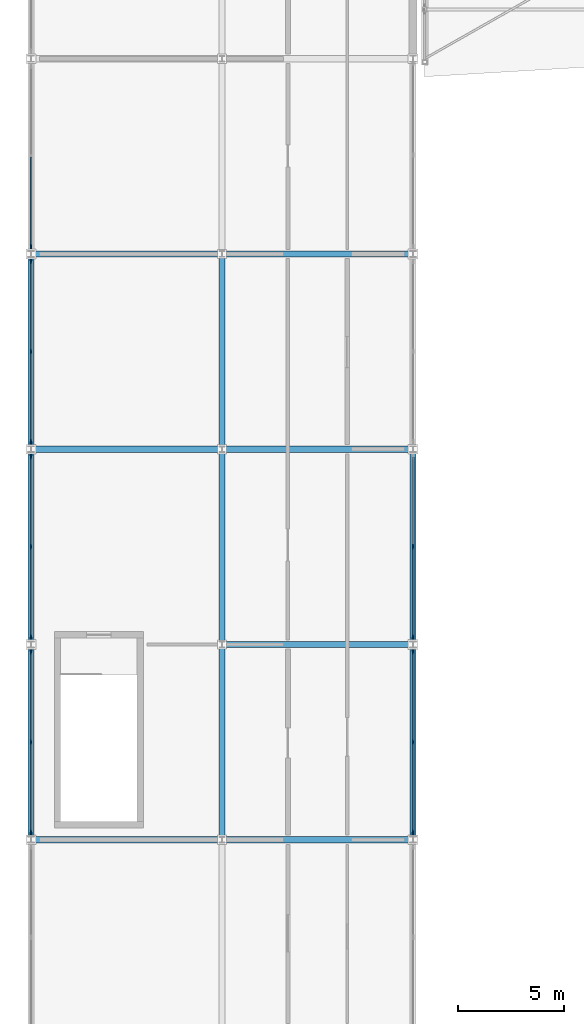
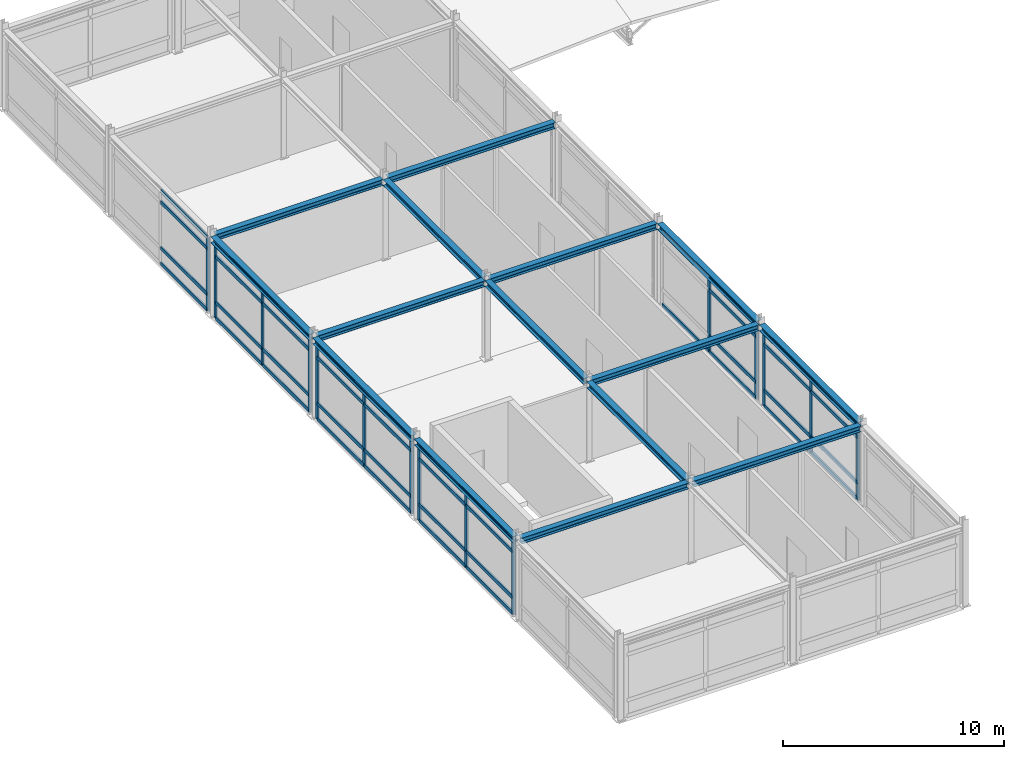
# One storey, part 29 of 90: 56 members, 15 beams, 6 elements without a shape of their own.
"""IFC4 building model written with IfcOpenShell, lengths in metres."""

from ifc_helpers import new_model, si_unit, direction, frame, origin, origin_2d, place, context, subcontext, project, spatial, rectangle, i_section, extrude, material, material_profile, profile_set, type_object, element, aggregate, save


model = new_model("IFC4")

# Units and contexts
model_context = context("Model", 3, precision=1e-05, world=origin(), true_north=direction((0.0, 1.0)))
body_context = subcontext(model_context, "Body", "Model", "MODEL_VIEW")
ifc_project = project(units=[si_unit("LENGTHUNIT", "METRE"), si_unit("AREAUNIT", "SQUARE_METRE"), si_unit("VOLUMEUNIT", "CUBIC_METRE"), si_unit("PLANEANGLEUNIT", "RADIAN"), si_unit("MASSUNIT", "GRAM", prefix="KILO")], contexts=[model_context])

# Site, building, storey
site_placement = place(None, origin())
site = spatial("IfcSite", under=ifc_project, at=site_placement, CompositionType="ELEMENT")
building_placement = place(site_placement, origin())
building = spatial("IfcBuilding", under=site, at=building_placement, Name="Bozkorgan Art Gallery", CompositionType="ELEMENT")
storey_placement = place(building_placement, frame((0.0, 0.0, 5.39990234375)))
storey = spatial("IfcBuildingStorey", under=building, at=storey_placement, Name="L01", CompositionType="ELEMENT", Elevation=5.39990234375)

# Beams
ifc_material_1 = material(Name="Steel S355J2", Category="steel")
ifc_material_profile_1 = material_profile(ifc_material_1, i_section(OverallWidth=0.300048828125, OverallDepth=0.330078125, WebThickness=0.009521484375, FlangeThickness=0.0166015625, FilletRadius=0.027099609375, at=origin_2d()), Name="HEA 340")
ifc_profile_set_1 = profile_set([ifc_material_profile_1], Name="Steel S355J2")
beam_type = type_object("IfcBeamType", Name="BEAM-BM-37", PredefinedType="BEAM", material=ifc_profile_set_1)
for number, where, z_axis, x_axis, name in (
    (1, (2.14990234375, 66.0, 4.275146484375), (1.0, 0.0, 0.0), (0.0, 1.0, 0.0), "V2 L01 beam X (2-11, 66.0)"),
    (2, (11.139892578125, 66.0, 4.275146484375), (1.0, 0.0, 0.0), (0.0, 1.0, 0.0), "V2 L01 beam X (11-20, 66.0)"),
    (3, (11.139892578125, 75.199951171875, 4.275146484375), (1.0, 0.0, 0.0), (0.0, 1.0, 0.0), "V2 L01 beam X (11-20, 75.2)"),
    (4, (2.14990234375, 84.39990234375, 4.275146484375), (1.0, 0.0, 0.0), (0.0, 1.0, 0.0), "V2 L01 beam X (2-11, 84.4)"),
    (5, (11.139892578125, 84.39990234375, 4.275146484375), (1.0, 0.0, 0.0), (0.0, 1.0, 0.0), "V2 L01 beam X (11-20, 84.4)"),
    (6, (2.14990234375, 93.60009765625, 4.275146484375), (1.0, 0.0, 0.0), (0.0, 1.0, 0.0), "V2 L01 beam X (2-11, 93.6)"),
    (7, (11.139892578125, 93.60009765625, 4.275146484375), (1.0, 0.0, 0.0), (0.0, 1.0, 0.0), "V2 L01 beam X (11-20, 93.6)"),
):
    element("IfcBeam", number, at=place(storey_placement, frame(where, z_axis=z_axis, x_axis=x_axis)), inside=storey, type_object=beam_type, Name=name, PredefinedType="BEAM", context=body_context, shape_type="SweptSolid", body=[
        extrude(i_section(OverallWidth=0.300048828125, OverallDepth=0.330078125, WebThickness=0.009521484375, FlangeThickness=0.0166015625, FilletRadius=0.027099609375, at=origin_2d()), origin(), (0.0, 0.0, 1.0), 8.710205078125),
    ])
beam_1_placement = place(storey_placement, frame((2.0, 66.14990234375, 4.275146484375), z_axis=(0.0, 1.0, 0.0), x_axis=(-1.0, 0.0, 0.0)))
element("IfcBeam", 8, at=beam_1_placement, inside=storey, type_object=beam_type, Name="V2 L01 beam Y (2, 66.0-75.2)", PredefinedType="BEAM", context=body_context, shape_type="SweptSolid", body=[
    extrude(i_section(OverallWidth=0.300048828125, OverallDepth=0.330078125, WebThickness=0.009521484375, FlangeThickness=0.0166015625, FilletRadius=0.027099609375, at=origin_2d()), origin(), (0.0, 0.0, 1.0), 8.900146484375),
])
for number, where, z_axis, x_axis, name in (
    (9, (2.0, 75.35009765625, 4.275146484375), (0.0, 1.0, 0.0), (-1.0, 0.0, 0.0), "V2 L01 beam Y (2, 75.2-84.4)"),
    (10, (2.0, 84.550048828125, 4.275146484375), (0.0, 1.0, 0.0), (-1.0, 0.0, 0.0), "V2 L01 beam Y (2, 84.4-93.6)"),
):
    element("IfcBeam", number, at=place(storey_placement, frame(where, z_axis=z_axis, x_axis=x_axis)), inside=storey, type_object=beam_type, Name=name, PredefinedType="BEAM", context=body_context, shape_type="SweptSolid", body=[
        extrude(i_section(OverallWidth=0.300048828125, OverallDepth=0.330078125, WebThickness=0.009521484375, FlangeThickness=0.0166015625, FilletRadius=0.027099609375, at=origin_2d()), origin(), (0.0, 0.0, 1.0), 8.89990234375),
    ])
beam_2_placement = place(storey_placement, frame((11.0, 66.139892578125, 4.275146484375), z_axis=(0.0, 1.0, 0.0), x_axis=(-1.0, 0.0, 0.0)))
element("IfcBeam", 11, at=beam_2_placement, inside=storey, type_object=beam_type, Name="V2 L01 beam Y (11, 66.0-75.2)", PredefinedType="BEAM", context=body_context, shape_type="SweptSolid", body=[
    extrude(i_section(OverallWidth=0.300048828125, OverallDepth=0.330078125, WebThickness=0.009521484375, FlangeThickness=0.0166015625, FilletRadius=0.027099609375, at=origin_2d()), origin(), (0.0, 0.0, 1.0), 8.920166015625),
])
for number, where, z_axis, x_axis, name in (
    (12, (11.0, 75.340087890625, 4.275146484375), (0.0, 1.0, 0.0), (-1.0, 0.0, 0.0), "V2 L01 beam Y (11, 75.2-84.4)"),
    (13, (11.0, 84.5400390625, 4.275146484375), (0.0, 1.0, 0.0), (-1.0, 0.0, 0.0), "V2 L01 beam Y (11, 84.4-93.6)"),
):
    element("IfcBeam", number, at=place(storey_placement, frame(where, z_axis=z_axis, x_axis=x_axis)), inside=storey, type_object=beam_type, Name=name, PredefinedType="BEAM", context=body_context, shape_type="SweptSolid", body=[
        extrude(i_section(OverallWidth=0.300048828125, OverallDepth=0.330078125, WebThickness=0.009521484375, FlangeThickness=0.0166015625, FilletRadius=0.027099609375, at=origin_2d()), origin(), (0.0, 0.0, 1.0), 8.919921875),
    ])
beam_3_placement = place(storey_placement, frame((20.0, 66.14990234375, 4.275146484375), z_axis=(0.0, 1.0, 0.0), x_axis=(-1.0, 0.0, 0.0)))
element("IfcBeam", 14, at=beam_3_placement, inside=storey, type_object=beam_type, Name="V2 L01 beam Y (20, 66.0-75.2)", PredefinedType="BEAM", context=body_context, shape_type="SweptSolid", body=[
    extrude(i_section(OverallWidth=0.300048828125, OverallDepth=0.330078125, WebThickness=0.009521484375, FlangeThickness=0.0166015625, FilletRadius=0.027099609375, at=origin_2d()), origin(), (0.0, 0.0, 1.0), 8.900146484375),
])
beam_4_placement = place(storey_placement, frame((20.0, 75.35009765625, 4.275146484375), z_axis=(0.0, 1.0, 0.0), x_axis=(-1.0, 0.0, 0.0)))
element("IfcBeam", 15, at=beam_4_placement, inside=storey, type_object=beam_type, Name="V2 L01 beam Y (20, 75.2-84.4)", PredefinedType="BEAM", context=body_context, shape_type="SweptSolid", body=[
    extrude(i_section(OverallWidth=0.300048828125, OverallDepth=0.330078125, WebThickness=0.009521484375, FlangeThickness=0.0166015625, FilletRadius=0.027099609375, at=origin_2d()), origin(), (0.0, 0.0, 1.0), 8.89990234375),
])

# Curtain wall, members
ifc_material_2 = material(Name="Anodised Bronze Aluminium", Category="aluminium")
curtain_wall_type = type_object("IfcCurtainWallType", Name="CW-CW-52", PredefinedType="NOTDEFINED", material=ifc_material_2)
curtain_wall_1_placement = place(storey_placement, origin())
curtain_wall_1 = element("IfcCurtainWall", 16, at=curtain_wall_1_placement, inside=storey, type_object=curtain_wall_type, Name="L01 unitised curtain wall CW-V2-L01-1W-07", PredefinedType="NOTDEFINED")
ifc_material_profile_2 = material_profile(ifc_material_2, rectangle(XDim=0.074951171875, YDim=0.219970703125, at=origin_2d()), Name="ALU MULLION 75x220")
ifc_profile_set_2 = profile_set([ifc_material_profile_2], Name="Anodised Bronze Aluminium")
member_type_1 = type_object("IfcMemberType", Name="CWM-02", PredefinedType="MULLION", material=ifc_profile_set_2)
member_1_placement = place(storey_placement, frame((2.0, 66.3525390625, 0.02001953125), z_axis=(0.0, 0.0, 1.0), x_axis=(-1.0, 0.0, 0.0)))
member_1 = element("IfcMember", 17, at=member_1_placement, type_object=member_type_1, Name="CW-52 mullion 1", PredefinedType="MULLION", context=body_context, shape_type="SweptSolid", body=[
    extrude(rectangle(XDim=0.074951171875, YDim=0.219970703125, at=origin_2d()), origin(), (0.0, 0.0, 1.0), 4.0751953125),
])
member_2_placement = place(storey_placement, frame((2.0, 70.60009765625, 0.02001953125), z_axis=(0.0, 0.0, 1.0), x_axis=(-1.0, 0.0, 0.0)))
member_2 = element("IfcMember", 18, at=member_2_placement, type_object=member_type_1, Name="CW-52 mullion 2", PredefinedType="MULLION", context=body_context, shape_type="SweptSolid", body=[
    extrude(rectangle(XDim=0.074951171875, YDim=0.219970703125, at=origin_2d()), origin(), (0.0, 0.0, 1.0), 4.0751953125),
])
member_3_placement = place(storey_placement, frame((2.0, 74.847412109375, 0.02001953125), z_axis=(0.0, 0.0, 1.0), x_axis=(-1.0, 0.0, 0.0)))
member_3 = element("IfcMember", 19, at=member_3_placement, type_object=member_type_1, Name="CW-52 mullion 3", PredefinedType="MULLION", context=body_context, shape_type="SweptSolid", body=[
    extrude(rectangle(XDim=0.074951171875, YDim=0.219970703125, at=origin_2d()), origin(), (0.0, 0.0, 1.0), 4.0751953125),
])

curtain_wall_2_placement = place(storey_placement, origin())
curtain_wall_2 = element("IfcCurtainWall", 20, at=curtain_wall_2_placement, inside=storey, type_object=curtain_wall_type, Name="L01 unitised curtain wall CW-V2-L01-1E-08", PredefinedType="NOTDEFINED")
member_4_placement = place(storey_placement, frame((20.0, 66.3525390625, 0.02001953125), z_axis=(0.0, 0.0, 1.0), x_axis=(-1.0, 0.0, 0.0)))
member_4 = element("IfcMember", 21, at=member_4_placement, type_object=member_type_1, Name="CW-52 mullion 1", PredefinedType="MULLION", context=body_context, shape_type="SweptSolid", body=[
    extrude(rectangle(XDim=0.074951171875, YDim=0.219970703125, at=origin_2d()), origin(), (0.0, 0.0, 1.0), 4.0751953125),
])
member_5_placement = place(storey_placement, frame((20.0, 70.60009765625, 0.02001953125), z_axis=(0.0, 0.0, 1.0), x_axis=(-1.0, 0.0, 0.0)))
member_5 = element("IfcMember", 22, at=member_5_placement, type_object=member_type_1, Name="CW-52 mullion 2", PredefinedType="MULLION", context=body_context, shape_type="SweptSolid", body=[
    extrude(rectangle(XDim=0.074951171875, YDim=0.219970703125, at=origin_2d()), origin(), (0.0, 0.0, 1.0), 4.0751953125),
])
member_6_placement = place(storey_placement, frame((20.0, 74.847412109375, 0.02001953125), z_axis=(0.0, 0.0, 1.0), x_axis=(-1.0, 0.0, 0.0)))
member_6 = element("IfcMember", 23, at=member_6_placement, type_object=member_type_1, Name="CW-52 mullion 3", PredefinedType="MULLION", context=body_context, shape_type="SweptSolid", body=[
    extrude(rectangle(XDim=0.074951171875, YDim=0.219970703125, at=origin_2d()), origin(), (0.0, 0.0, 1.0), 4.0751953125),
])

curtain_wall_3_placement = place(storey_placement, origin())
curtain_wall_3 = element("IfcCurtainWall", 24, at=curtain_wall_3_placement, inside=storey, type_object=curtain_wall_type, Name="L01 unitised curtain wall CW-V2-L01-1W-09", PredefinedType="NOTDEFINED")
member_7_placement = place(storey_placement, frame((2.0, 75.552490234375, 0.02001953125), z_axis=(0.0, 0.0, 1.0), x_axis=(-1.0, 0.0, 0.0)))
member_7 = element("IfcMember", 25, at=member_7_placement, type_object=member_type_1, Name="CW-52 mullion 1", PredefinedType="MULLION", context=body_context, shape_type="SweptSolid", body=[
    extrude(rectangle(XDim=0.074951171875, YDim=0.219970703125, at=origin_2d()), origin(), (0.0, 0.0, 1.0), 4.0751953125),
])
member_8_placement = place(storey_placement, frame((2.0, 79.800048828125, 0.02001953125), z_axis=(0.0, 0.0, 1.0), x_axis=(-1.0, 0.0, 0.0)))
member_8 = element("IfcMember", 26, at=member_8_placement, type_object=member_type_1, Name="CW-52 mullion 2", PredefinedType="MULLION", context=body_context, shape_type="SweptSolid", body=[
    extrude(rectangle(XDim=0.074951171875, YDim=0.219970703125, at=origin_2d()), origin(), (0.0, 0.0, 1.0), 4.0751953125),
])
member_9_placement = place(storey_placement, frame((2.0, 84.047607421875, 0.02001953125), z_axis=(0.0, 0.0, 1.0), x_axis=(-1.0, 0.0, 0.0)))
member_9 = element("IfcMember", 27, at=member_9_placement, type_object=member_type_1, Name="CW-52 mullion 3", PredefinedType="MULLION", context=body_context, shape_type="SweptSolid", body=[
    extrude(rectangle(XDim=0.074951171875, YDim=0.219970703125, at=origin_2d()), origin(), (0.0, 0.0, 1.0), 4.0751953125),
])

curtain_wall_4_placement = place(storey_placement, origin())
curtain_wall_4 = element("IfcCurtainWall", 28, at=curtain_wall_4_placement, inside=storey, type_object=curtain_wall_type, Name="L01 unitised curtain wall CW-V2-L01-1E-10", PredefinedType="NOTDEFINED")
member_10_placement = place(storey_placement, frame((20.0, 75.552490234375, 0.02001953125), z_axis=(0.0, 0.0, 1.0), x_axis=(-1.0, 0.0, 0.0)))
member_10 = element("IfcMember", 29, at=member_10_placement, type_object=member_type_1, Name="CW-52 mullion 1", PredefinedType="MULLION", context=body_context, shape_type="SweptSolid", body=[
    extrude(rectangle(XDim=0.074951171875, YDim=0.219970703125, at=origin_2d()), origin(), (0.0, 0.0, 1.0), 4.0751953125),
])
member_11_placement = place(storey_placement, frame((20.0, 79.800048828125, 0.02001953125), z_axis=(0.0, 0.0, 1.0), x_axis=(-1.0, 0.0, 0.0)))
member_11 = element("IfcMember", 30, at=member_11_placement, type_object=member_type_1, Name="CW-52 mullion 2", PredefinedType="MULLION", context=body_context, shape_type="SweptSolid", body=[
    extrude(rectangle(XDim=0.074951171875, YDim=0.219970703125, at=origin_2d()), origin(), (0.0, 0.0, 1.0), 4.0751953125),
])

curtain_wall_5_placement = place(storey_placement, origin())
curtain_wall_5 = element("IfcCurtainWall", 31, at=curtain_wall_5_placement, inside=storey, type_object=curtain_wall_type, Name="L01 unitised curtain wall CW-V2-L01-1W-11", PredefinedType="NOTDEFINED")
member_12_placement = place(storey_placement, frame((2.0, 84.75244140625, 0.02001953125), z_axis=(0.0, 0.0, 1.0), x_axis=(-1.0, 0.0, 0.0)))
member_12 = element("IfcMember", 32, at=member_12_placement, type_object=member_type_1, Name="CW-52 mullion 1", PredefinedType="MULLION", context=body_context, shape_type="SweptSolid", body=[
    extrude(rectangle(XDim=0.074951171875, YDim=0.219970703125, at=origin_2d()), origin(), (0.0, 0.0, 1.0), 4.0751953125),
])
member_13_placement = place(storey_placement, frame((2.0, 89.0, 0.02001953125), z_axis=(0.0, 0.0, 1.0), x_axis=(-1.0, 0.0, 0.0)))
member_13 = element("IfcMember", 33, at=member_13_placement, type_object=member_type_1, Name="CW-52 mullion 2", PredefinedType="MULLION", context=body_context, shape_type="SweptSolid", body=[
    extrude(rectangle(XDim=0.074951171875, YDim=0.219970703125, at=origin_2d()), origin(), (0.0, 0.0, 1.0), 4.0751953125),
])
member_14_placement = place(storey_placement, frame((2.0, 93.24755859375, 0.02001953125), z_axis=(0.0, 0.0, 1.0), x_axis=(-1.0, 0.0, 0.0)))
member_14 = element("IfcMember", 34, at=member_14_placement, type_object=member_type_1, Name="CW-52 mullion 3", PredefinedType="MULLION", context=body_context, shape_type="SweptSolid", body=[
    extrude(rectangle(XDim=0.074951171875, YDim=0.219970703125, at=origin_2d()), origin(), (0.0, 0.0, 1.0), 4.0751953125),
])

# Curtain wall, member
curtain_wall_6_placement = place(storey_placement, origin())
curtain_wall_6 = element("IfcCurtainWall", 35, at=curtain_wall_6_placement, inside=storey, type_object=curtain_wall_type, Name="L01 unitised curtain wall CW-V2-L01-1W-13", PredefinedType="NOTDEFINED")
member_15_placement = place(storey_placement, frame((2.0, 93.952392578125, 0.02001953125), z_axis=(0.0, 0.0, 1.0), x_axis=(-1.0, 0.0, 0.0)))
member_15 = element("IfcMember", 36, at=member_15_placement, type_object=member_type_1, Name="CW-52 mullion 1", PredefinedType="MULLION", context=body_context, shape_type="SweptSolid", body=[
    extrude(rectangle(XDim=0.074951171875, YDim=0.219970703125, at=origin_2d()), origin(), (0.0, 0.0, 1.0), 4.0751953125),
])

# Member
ifc_material_profile_3 = material_profile(ifc_material_2, rectangle(XDim=0.080078125, YDim=0.199951171875, at=origin_2d()), Name="ALU TRANSOM 80x200")
ifc_profile_set_3 = profile_set([ifc_material_profile_3], Name="Anodised Bronze Aluminium")
member_type_2 = type_object("IfcMemberType", Name="CWT-03", PredefinedType="USERDEFINED", material=ifc_profile_set_3)
member_16_placement = place(storey_placement, frame((2.0, 66.389892578125, 0.06005859375), z_axis=(0.0, 1.0, 0.0), x_axis=(-1.0, 0.0, 0.0)))
member_16 = element("IfcMember", 37, at=member_16_placement, type_object=member_type_2, Name="CW-52 transom 1.1", ObjectType="TRANSOM", PredefinedType="USERDEFINED", context=body_context, shape_type="SweptSolid", body=[
    extrude(rectangle(XDim=0.080078125, YDim=0.199951171875, at=origin_2d()), origin(), (0.0, 0.0, 1.0), 4.172607421875),
])

member_17_placement = place(storey_placement, frame((2.0, 66.389892578125, 0.920166015625), z_axis=(0.0, 1.0, 0.0), x_axis=(-1.0, 0.0, 0.0)))
member_17 = element("IfcMember", 38, at=member_17_placement, type_object=member_type_2, Name="CW-52 transom 1.2", ObjectType="TRANSOM", PredefinedType="USERDEFINED", context=body_context, shape_type="SweptSolid", body=[
    extrude(rectangle(XDim=0.080078125, YDim=0.199951171875, at=origin_2d()), origin(), (0.0, 0.0, 1.0), 4.172607421875),
])

member_18_placement = place(storey_placement, frame((2.0, 66.389892578125, 3.445068359375), z_axis=(0.0, 1.0, 0.0), x_axis=(-1.0, 0.0, 0.0)))
member_18 = element("IfcMember", 39, at=member_18_placement, type_object=member_type_2, Name="CW-52 transom 1.3", ObjectType="TRANSOM", PredefinedType="USERDEFINED", context=body_context, shape_type="SweptSolid", body=[
    extrude(rectangle(XDim=0.080078125, YDim=0.199951171875, at=origin_2d()), origin(), (0.0, 0.0, 1.0), 4.172607421875),
])

member_19_placement = place(storey_placement, frame((2.0, 66.389892578125, 4.05517578125), z_axis=(0.0, 1.0, 0.0), x_axis=(-1.0, 0.0, 0.0)))
member_19 = element("IfcMember", 40, at=member_19_placement, type_object=member_type_2, Name="CW-52 transom 1.4", ObjectType="TRANSOM", PredefinedType="USERDEFINED", context=body_context, shape_type="SweptSolid", body=[
    extrude(rectangle(XDim=0.080078125, YDim=0.199951171875, at=origin_2d()), origin(), (0.0, 0.0, 1.0), 4.172607421875),
])

member_20_placement = place(storey_placement, frame((2.0, 70.637451171875, 0.06005859375), z_axis=(0.0, 1.0, 0.0), x_axis=(-1.0, 0.0, 0.0)))
member_20 = element("IfcMember", 41, at=member_20_placement, type_object=member_type_2, Name="CW-52 transom 2.1", ObjectType="TRANSOM", PredefinedType="USERDEFINED", context=body_context, shape_type="SweptSolid", body=[
    extrude(rectangle(XDim=0.080078125, YDim=0.199951171875, at=origin_2d()), origin(), (0.0, 0.0, 1.0), 4.172607421875),
])

member_21_placement = place(storey_placement, frame((2.0, 70.637451171875, 0.920166015625), z_axis=(0.0, 1.0, 0.0), x_axis=(-1.0, 0.0, 0.0)))
member_21 = element("IfcMember", 42, at=member_21_placement, type_object=member_type_2, Name="CW-52 transom 2.2", ObjectType="TRANSOM", PredefinedType="USERDEFINED", context=body_context, shape_type="SweptSolid", body=[
    extrude(rectangle(XDim=0.080078125, YDim=0.199951171875, at=origin_2d()), origin(), (0.0, 0.0, 1.0), 4.172607421875),
])

member_22_placement = place(storey_placement, frame((2.0, 70.637451171875, 3.445068359375), z_axis=(0.0, 1.0, 0.0), x_axis=(-1.0, 0.0, 0.0)))
member_22 = element("IfcMember", 43, at=member_22_placement, type_object=member_type_2, Name="CW-52 transom 2.3", ObjectType="TRANSOM", PredefinedType="USERDEFINED", context=body_context, shape_type="SweptSolid", body=[
    extrude(rectangle(XDim=0.080078125, YDim=0.199951171875, at=origin_2d()), origin(), (0.0, 0.0, 1.0), 4.172607421875),
])

member_23_placement = place(storey_placement, frame((2.0, 70.637451171875, 4.05517578125), z_axis=(0.0, 1.0, 0.0), x_axis=(-1.0, 0.0, 0.0)))
member_23 = element("IfcMember", 44, at=member_23_placement, type_object=member_type_2, Name="CW-52 transom 2.4", ObjectType="TRANSOM", PredefinedType="USERDEFINED", context=body_context, shape_type="SweptSolid", body=[
    extrude(rectangle(XDim=0.080078125, YDim=0.199951171875, at=origin_2d()), origin(), (0.0, 0.0, 1.0), 4.172607421875),
])

aggregate(curtain_wall_1, [member_1, member_2, member_3, member_16, member_17, member_18, member_19, member_20, member_21, member_22, member_23])

member_24_placement = place(storey_placement, frame((20.0, 66.389892578125, 0.06005859375), z_axis=(0.0, 1.0, 0.0), x_axis=(-1.0, 0.0, 0.0)))
member_24 = element("IfcMember", 45, at=member_24_placement, type_object=member_type_2, Name="CW-52 transom 1.1", ObjectType="TRANSOM", PredefinedType="USERDEFINED", context=body_context, shape_type="SweptSolid", body=[
    extrude(rectangle(XDim=0.080078125, YDim=0.199951171875, at=origin_2d()), origin(), (0.0, 0.0, 1.0), 4.172607421875),
])

member_25_placement = place(storey_placement, frame((20.0, 66.389892578125, 0.920166015625), z_axis=(0.0, 1.0, 0.0), x_axis=(-1.0, 0.0, 0.0)))
member_25 = element("IfcMember", 46, at=member_25_placement, type_object=member_type_2, Name="CW-52 transom 1.2", ObjectType="TRANSOM", PredefinedType="USERDEFINED", context=body_context, shape_type="SweptSolid", body=[
    extrude(rectangle(XDim=0.080078125, YDim=0.199951171875, at=origin_2d()), origin(), (0.0, 0.0, 1.0), 4.172607421875),
])

member_26_placement = place(storey_placement, frame((20.0, 66.389892578125, 3.445068359375), z_axis=(0.0, 1.0, 0.0), x_axis=(-1.0, 0.0, 0.0)))
member_26 = element("IfcMember", 47, at=member_26_placement, type_object=member_type_2, Name="CW-52 transom 1.3", ObjectType="TRANSOM", PredefinedType="USERDEFINED", context=body_context, shape_type="SweptSolid", body=[
    extrude(rectangle(XDim=0.080078125, YDim=0.199951171875, at=origin_2d()), origin(), (0.0, 0.0, 1.0), 4.172607421875),
])

member_27_placement = place(storey_placement, frame((20.0, 66.389892578125, 4.05517578125), z_axis=(0.0, 1.0, 0.0), x_axis=(-1.0, 0.0, 0.0)))
member_27 = element("IfcMember", 48, at=member_27_placement, type_object=member_type_2, Name="CW-52 transom 1.4", ObjectType="TRANSOM", PredefinedType="USERDEFINED", context=body_context, shape_type="SweptSolid", body=[
    extrude(rectangle(XDim=0.080078125, YDim=0.199951171875, at=origin_2d()), origin(), (0.0, 0.0, 1.0), 4.172607421875),
])

member_28_placement = place(storey_placement, frame((20.0, 70.637451171875, 0.06005859375), z_axis=(0.0, 1.0, 0.0), x_axis=(-1.0, 0.0, 0.0)))
member_28 = element("IfcMember", 49, at=member_28_placement, type_object=member_type_2, Name="CW-52 transom 2.1", ObjectType="TRANSOM", PredefinedType="USERDEFINED", context=body_context, shape_type="SweptSolid", body=[
    extrude(rectangle(XDim=0.080078125, YDim=0.199951171875, at=origin_2d()), origin(), (0.0, 0.0, 1.0), 4.172607421875),
])

member_29_placement = place(storey_placement, frame((20.0, 70.637451171875, 0.920166015625), z_axis=(0.0, 1.0, 0.0), x_axis=(-1.0, 0.0, 0.0)))
member_29 = element("IfcMember", 50, at=member_29_placement, type_object=member_type_2, Name="CW-52 transom 2.2", ObjectType="TRANSOM", PredefinedType="USERDEFINED", context=body_context, shape_type="SweptSolid", body=[
    extrude(rectangle(XDim=0.080078125, YDim=0.199951171875, at=origin_2d()), origin(), (0.0, 0.0, 1.0), 4.172607421875),
])

member_30_placement = place(storey_placement, frame((20.0, 70.637451171875, 3.445068359375), z_axis=(0.0, 1.0, 0.0), x_axis=(-1.0, 0.0, 0.0)))
member_30 = element("IfcMember", 51, at=member_30_placement, type_object=member_type_2, Name="CW-52 transom 2.3", ObjectType="TRANSOM", PredefinedType="USERDEFINED", context=body_context, shape_type="SweptSolid", body=[
    extrude(rectangle(XDim=0.080078125, YDim=0.199951171875, at=origin_2d()), origin(), (0.0, 0.0, 1.0), 4.172607421875),
])

member_31_placement = place(storey_placement, frame((20.0, 70.637451171875, 4.05517578125), z_axis=(0.0, 1.0, 0.0), x_axis=(-1.0, 0.0, 0.0)))
member_31 = element("IfcMember", 52, at=member_31_placement, type_object=member_type_2, Name="CW-52 transom 2.4", ObjectType="TRANSOM", PredefinedType="USERDEFINED", context=body_context, shape_type="SweptSolid", body=[
    extrude(rectangle(XDim=0.080078125, YDim=0.199951171875, at=origin_2d()), origin(), (0.0, 0.0, 1.0), 4.172607421875),
])

aggregate(curtain_wall_2, [member_4, member_5, member_6, member_24, member_25, member_26, member_27, member_28, member_29, member_30, member_31])

member_32_placement = place(storey_placement, frame((2.0, 75.590087890625, 0.06005859375), z_axis=(0.0, 1.0, 0.0), x_axis=(-1.0, 0.0, 0.0)))
member_32 = element("IfcMember", 53, at=member_32_placement, type_object=member_type_2, Name="CW-52 transom 1.1", ObjectType="TRANSOM", PredefinedType="USERDEFINED", context=body_context, shape_type="SweptSolid", body=[
    extrude(rectangle(XDim=0.080078125, YDim=0.199951171875, at=origin_2d()), origin(), (0.0, 0.0, 1.0), 4.17236328125),
])

member_33_placement = place(storey_placement, frame((2.0, 75.590087890625, 0.920166015625), z_axis=(0.0, 1.0, 0.0), x_axis=(-1.0, 0.0, 0.0)))
member_33 = element("IfcMember", 54, at=member_33_placement, type_object=member_type_2, Name="CW-52 transom 1.2", ObjectType="TRANSOM", PredefinedType="USERDEFINED", context=body_context, shape_type="SweptSolid", body=[
    extrude(rectangle(XDim=0.080078125, YDim=0.199951171875, at=origin_2d()), origin(), (0.0, 0.0, 1.0), 4.17236328125),
])

member_34_placement = place(storey_placement, frame((2.0, 75.590087890625, 3.445068359375), z_axis=(0.0, 1.0, 0.0), x_axis=(-1.0, 0.0, 0.0)))
member_34 = element("IfcMember", 55, at=member_34_placement, type_object=member_type_2, Name="CW-52 transom 1.3", ObjectType="TRANSOM", PredefinedType="USERDEFINED", context=body_context, shape_type="SweptSolid", body=[
    extrude(rectangle(XDim=0.080078125, YDim=0.199951171875, at=origin_2d()), origin(), (0.0, 0.0, 1.0), 4.17236328125),
])

member_35_placement = place(storey_placement, frame((2.0, 75.590087890625, 4.05517578125), z_axis=(0.0, 1.0, 0.0), x_axis=(-1.0, 0.0, 0.0)))
member_35 = element("IfcMember", 56, at=member_35_placement, type_object=member_type_2, Name="CW-52 transom 1.4", ObjectType="TRANSOM", PredefinedType="USERDEFINED", context=body_context, shape_type="SweptSolid", body=[
    extrude(rectangle(XDim=0.080078125, YDim=0.199951171875, at=origin_2d()), origin(), (0.0, 0.0, 1.0), 4.17236328125),
])

member_36_placement = place(storey_placement, frame((2.0, 79.83740234375, 0.06005859375), z_axis=(0.0, 1.0, 0.0), x_axis=(-1.0, 0.0, 0.0)))
member_36 = element("IfcMember", 57, at=member_36_placement, type_object=member_type_2, Name="CW-52 transom 2.1", ObjectType="TRANSOM", PredefinedType="USERDEFINED", context=body_context, shape_type="SweptSolid", body=[
    extrude(rectangle(XDim=0.080078125, YDim=0.199951171875, at=origin_2d()), origin(), (0.0, 0.0, 1.0), 4.172607421875),
])

member_37_placement = place(storey_placement, frame((2.0, 79.83740234375, 0.920166015625), z_axis=(0.0, 1.0, 0.0), x_axis=(-1.0, 0.0, 0.0)))
member_37 = element("IfcMember", 58, at=member_37_placement, type_object=member_type_2, Name="CW-52 transom 2.2", ObjectType="TRANSOM", PredefinedType="USERDEFINED", context=body_context, shape_type="SweptSolid", body=[
    extrude(rectangle(XDim=0.080078125, YDim=0.199951171875, at=origin_2d()), origin(), (0.0, 0.0, 1.0), 4.172607421875),
])

member_38_placement = place(storey_placement, frame((2.0, 79.83740234375, 3.445068359375), z_axis=(0.0, 1.0, 0.0), x_axis=(-1.0, 0.0, 0.0)))
member_38 = element("IfcMember", 59, at=member_38_placement, type_object=member_type_2, Name="CW-52 transom 2.3", ObjectType="TRANSOM", PredefinedType="USERDEFINED", context=body_context, shape_type="SweptSolid", body=[
    extrude(rectangle(XDim=0.080078125, YDim=0.199951171875, at=origin_2d()), origin(), (0.0, 0.0, 1.0), 4.172607421875),
])

member_39_placement = place(storey_placement, frame((2.0, 79.83740234375, 4.05517578125), z_axis=(0.0, 1.0, 0.0), x_axis=(-1.0, 0.0, 0.0)))
member_39 = element("IfcMember", 60, at=member_39_placement, type_object=member_type_2, Name="CW-52 transom 2.4", ObjectType="TRANSOM", PredefinedType="USERDEFINED", context=body_context, shape_type="SweptSolid", body=[
    extrude(rectangle(XDim=0.080078125, YDim=0.199951171875, at=origin_2d()), origin(), (0.0, 0.0, 1.0), 4.172607421875),
])

aggregate(curtain_wall_3, [member_7, member_8, member_9, member_32, member_33, member_34, member_35, member_36, member_37, member_38, member_39])

member_40_placement = place(storey_placement, frame((20.0, 75.590087890625, 0.06005859375), z_axis=(0.0, 1.0, 0.0), x_axis=(-1.0, 0.0, 0.0)))
member_40 = element("IfcMember", 61, at=member_40_placement, type_object=member_type_2, Name="CW-52 transom 1.1", ObjectType="TRANSOM", PredefinedType="USERDEFINED", context=body_context, shape_type="SweptSolid", body=[
    extrude(rectangle(XDim=0.080078125, YDim=0.199951171875, at=origin_2d()), origin(), (0.0, 0.0, 1.0), 4.17236328125),
])

member_41_placement = place(storey_placement, frame((20.0, 75.590087890625, 0.920166015625), z_axis=(0.0, 1.0, 0.0), x_axis=(-1.0, 0.0, 0.0)))
member_41 = element("IfcMember", 62, at=member_41_placement, type_object=member_type_2, Name="CW-52 transom 1.2", ObjectType="TRANSOM", PredefinedType="USERDEFINED", context=body_context, shape_type="SweptSolid", body=[
    extrude(rectangle(XDim=0.080078125, YDim=0.199951171875, at=origin_2d()), origin(), (0.0, 0.0, 1.0), 4.17236328125),
])

member_42_placement = place(storey_placement, frame((20.0, 75.590087890625, 3.445068359375), z_axis=(0.0, 1.0, 0.0), x_axis=(-1.0, 0.0, 0.0)))
member_42 = element("IfcMember", 63, at=member_42_placement, type_object=member_type_2, Name="CW-52 transom 1.3", ObjectType="TRANSOM", PredefinedType="USERDEFINED", context=body_context, shape_type="SweptSolid", body=[
    extrude(rectangle(XDim=0.080078125, YDim=0.199951171875, at=origin_2d()), origin(), (0.0, 0.0, 1.0), 4.17236328125),
])

member_43_placement = place(storey_placement, frame((20.0, 75.590087890625, 4.05517578125), z_axis=(0.0, 1.0, 0.0), x_axis=(-1.0, 0.0, 0.0)))
member_43 = element("IfcMember", 64, at=member_43_placement, type_object=member_type_2, Name="CW-52 transom 1.4", ObjectType="TRANSOM", PredefinedType="USERDEFINED", context=body_context, shape_type="SweptSolid", body=[
    extrude(rectangle(XDim=0.080078125, YDim=0.199951171875, at=origin_2d()), origin(), (0.0, 0.0, 1.0), 4.17236328125),
])

member_44_placement = place(storey_placement, frame((20.0, 79.83740234375, 0.06005859375), z_axis=(0.0, 1.0, 0.0), x_axis=(-1.0, 0.0, 0.0)))
member_44 = element("IfcMember", 65, at=member_44_placement, type_object=member_type_2, Name="CW-52 transom 2.1", ObjectType="TRANSOM", PredefinedType="USERDEFINED", context=body_context, shape_type="SweptSolid", body=[
    extrude(rectangle(XDim=0.080078125, YDim=0.199951171875, at=origin_2d()), origin(), (0.0, 0.0, 1.0), 4.172607421875),
])

aggregate(curtain_wall_4, [member_10, member_11, member_40, member_41, member_42, member_43, member_44])

member_45_placement = place(storey_placement, frame((2.0, 84.7900390625, 0.06005859375), z_axis=(0.0, 1.0, 0.0), x_axis=(-1.0, 0.0, 0.0)))
member_45 = element("IfcMember", 66, at=member_45_placement, type_object=member_type_2, Name="CW-52 transom 1.1", ObjectType="TRANSOM", PredefinedType="USERDEFINED", context=body_context, shape_type="SweptSolid", body=[
    extrude(rectangle(XDim=0.080078125, YDim=0.199951171875, at=origin_2d()), origin(), (0.0, 0.0, 1.0), 4.17236328125),
])

member_46_placement = place(storey_placement, frame((2.0, 84.7900390625, 0.920166015625), z_axis=(0.0, 1.0, 0.0), x_axis=(-1.0, 0.0, 0.0)))
member_46 = element("IfcMember", 67, at=member_46_placement, type_object=member_type_2, Name="CW-52 transom 1.2", ObjectType="TRANSOM", PredefinedType="USERDEFINED", context=body_context, shape_type="SweptSolid", body=[
    extrude(rectangle(XDim=0.080078125, YDim=0.199951171875, at=origin_2d()), origin(), (0.0, 0.0, 1.0), 4.17236328125),
])

member_47_placement = place(storey_placement, frame((2.0, 84.7900390625, 3.445068359375), z_axis=(0.0, 1.0, 0.0), x_axis=(-1.0, 0.0, 0.0)))
member_47 = element("IfcMember", 68, at=member_47_placement, type_object=member_type_2, Name="CW-52 transom 1.3", ObjectType="TRANSOM", PredefinedType="USERDEFINED", context=body_context, shape_type="SweptSolid", body=[
    extrude(rectangle(XDim=0.080078125, YDim=0.199951171875, at=origin_2d()), origin(), (0.0, 0.0, 1.0), 4.17236328125),
])

member_48_placement = place(storey_placement, frame((2.0, 84.7900390625, 4.05517578125), z_axis=(0.0, 1.0, 0.0), x_axis=(-1.0, 0.0, 0.0)))
member_48 = element("IfcMember", 69, at=member_48_placement, type_object=member_type_2, Name="CW-52 transom 1.4", ObjectType="TRANSOM", PredefinedType="USERDEFINED", context=body_context, shape_type="SweptSolid", body=[
    extrude(rectangle(XDim=0.080078125, YDim=0.199951171875, at=origin_2d()), origin(), (0.0, 0.0, 1.0), 4.17236328125),
])

member_49_placement = place(storey_placement, frame((2.0, 89.03759765625, 0.06005859375), z_axis=(0.0, 1.0, 0.0), x_axis=(-1.0, 0.0, 0.0)))
member_49 = element("IfcMember", 70, at=member_49_placement, type_object=member_type_2, Name="CW-52 transom 2.1", ObjectType="TRANSOM", PredefinedType="USERDEFINED", context=body_context, shape_type="SweptSolid", body=[
    extrude(rectangle(XDim=0.080078125, YDim=0.199951171875, at=origin_2d()), origin(), (0.0, 0.0, 1.0), 4.17236328125),
])

member_50_placement = place(storey_placement, frame((2.0, 89.03759765625, 0.920166015625), z_axis=(0.0, 1.0, 0.0), x_axis=(-1.0, 0.0, 0.0)))
member_50 = element("IfcMember", 71, at=member_50_placement, type_object=member_type_2, Name="CW-52 transom 2.2", ObjectType="TRANSOM", PredefinedType="USERDEFINED", context=body_context, shape_type="SweptSolid", body=[
    extrude(rectangle(XDim=0.080078125, YDim=0.199951171875, at=origin_2d()), origin(), (0.0, 0.0, 1.0), 4.17236328125),
])

member_51_placement = place(storey_placement, frame((2.0, 89.03759765625, 3.445068359375), z_axis=(0.0, 1.0, 0.0), x_axis=(-1.0, 0.0, 0.0)))
member_51 = element("IfcMember", 72, at=member_51_placement, type_object=member_type_2, Name="CW-52 transom 2.3", ObjectType="TRANSOM", PredefinedType="USERDEFINED", context=body_context, shape_type="SweptSolid", body=[
    extrude(rectangle(XDim=0.080078125, YDim=0.199951171875, at=origin_2d()), origin(), (0.0, 0.0, 1.0), 4.17236328125),
])

member_52_placement = place(storey_placement, frame((2.0, 89.03759765625, 4.05517578125), z_axis=(0.0, 1.0, 0.0), x_axis=(-1.0, 0.0, 0.0)))
member_52 = element("IfcMember", 73, at=member_52_placement, type_object=member_type_2, Name="CW-52 transom 2.4", ObjectType="TRANSOM", PredefinedType="USERDEFINED", context=body_context, shape_type="SweptSolid", body=[
    extrude(rectangle(XDim=0.080078125, YDim=0.199951171875, at=origin_2d()), origin(), (0.0, 0.0, 1.0), 4.17236328125),
])

aggregate(curtain_wall_5, [member_12, member_13, member_14, member_45, member_46, member_47, member_48, member_49, member_50, member_51, member_52])

member_53_placement = place(storey_placement, frame((2.0, 93.989990234375, 0.06005859375), z_axis=(0.0, 1.0, 0.0), x_axis=(-1.0, 0.0, 0.0)))
member_53 = element("IfcMember", 74, at=member_53_placement, type_object=member_type_2, Name="CW-52 transom 1.1", ObjectType="TRANSOM", PredefinedType="USERDEFINED", context=body_context, shape_type="SweptSolid", body=[
    extrude(rectangle(XDim=0.080078125, YDim=0.199951171875, at=origin_2d()), origin(), (0.0, 0.0, 1.0), 4.172607421875),
])

member_54_placement = place(storey_placement, frame((2.0, 93.989990234375, 0.920166015625), z_axis=(0.0, 1.0, 0.0), x_axis=(-1.0, 0.0, 0.0)))
member_54 = element("IfcMember", 75, at=member_54_placement, type_object=member_type_2, Name="CW-52 transom 1.2", ObjectType="TRANSOM", PredefinedType="USERDEFINED", context=body_context, shape_type="SweptSolid", body=[
    extrude(rectangle(XDim=0.080078125, YDim=0.199951171875, at=origin_2d()), origin(), (0.0, 0.0, 1.0), 4.172607421875),
])

member_55_placement = place(storey_placement, frame((2.0, 93.989990234375, 3.445068359375), z_axis=(0.0, 1.0, 0.0), x_axis=(-1.0, 0.0, 0.0)))
member_55 = element("IfcMember", 76, at=member_55_placement, type_object=member_type_2, Name="CW-52 transom 1.3", ObjectType="TRANSOM", PredefinedType="USERDEFINED", context=body_context, shape_type="SweptSolid", body=[
    extrude(rectangle(XDim=0.080078125, YDim=0.199951171875, at=origin_2d()), origin(), (0.0, 0.0, 1.0), 4.172607421875),
])

member_56_placement = place(storey_placement, frame((2.0, 93.989990234375, 4.05517578125), z_axis=(0.0, 1.0, 0.0), x_axis=(-1.0, 0.0, 0.0)))
member_56 = element("IfcMember", 77, at=member_56_placement, type_object=member_type_2, Name="CW-52 transom 1.4", ObjectType="TRANSOM", PredefinedType="USERDEFINED", context=body_context, shape_type="SweptSolid", body=[
    extrude(rectangle(XDim=0.080078125, YDim=0.199951171875, at=origin_2d()), origin(), (0.0, 0.0, 1.0), 4.172607421875),
])

aggregate(curtain_wall_6, [member_15, member_53, member_54, member_55, member_56])

save(model, "model.ifc")
